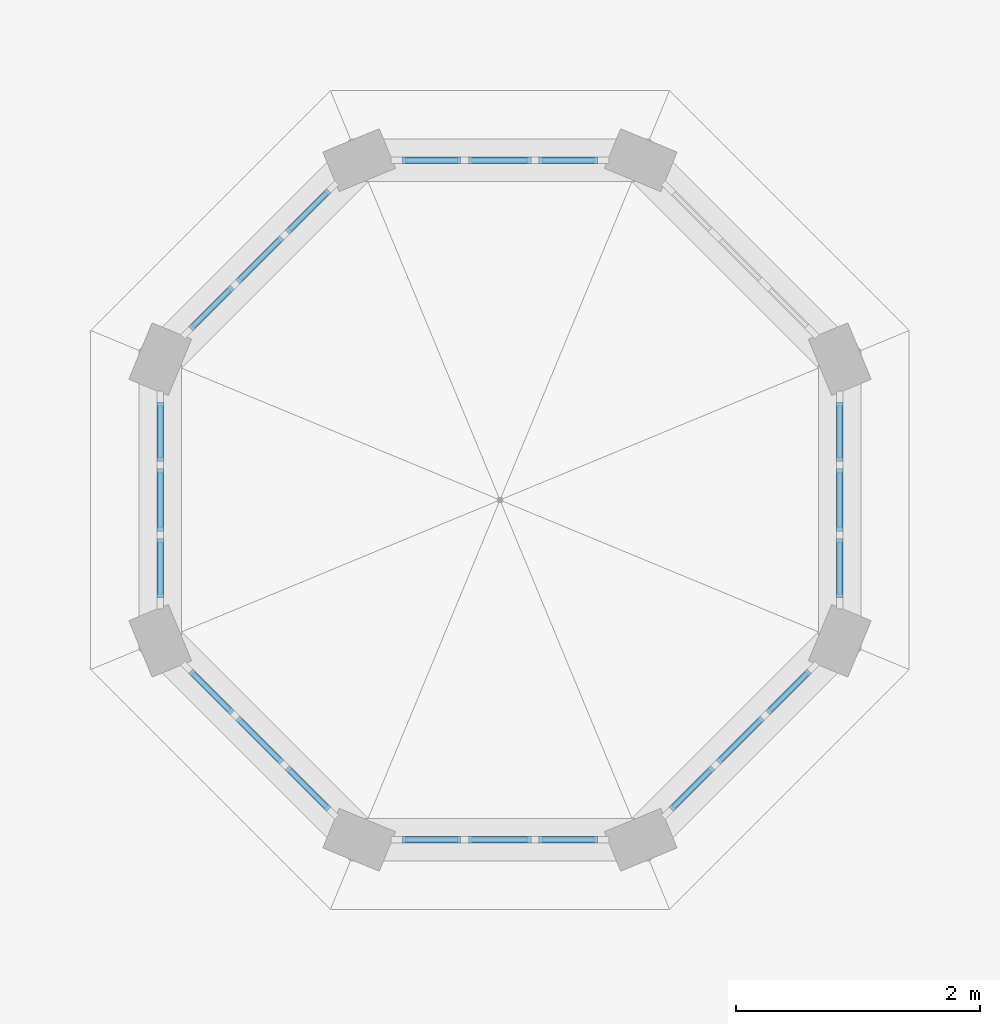
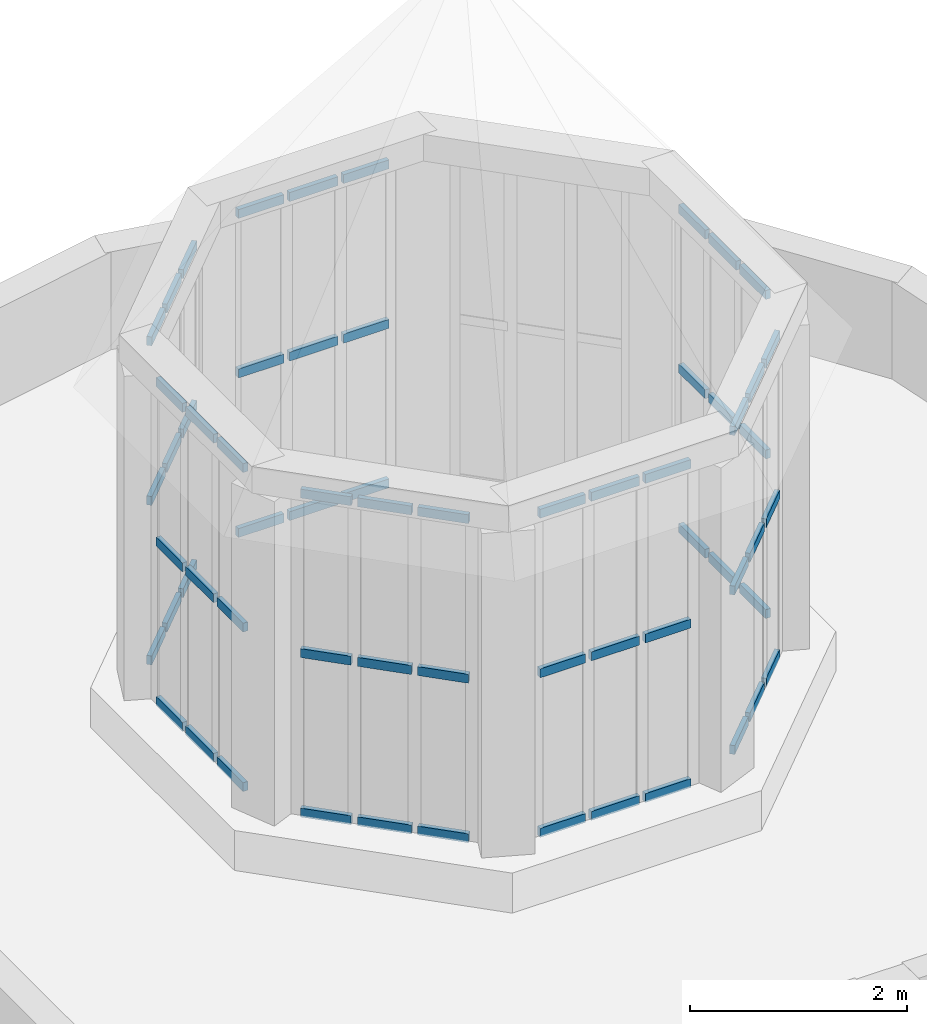
# One storey, part 23 of 52: 63 members, 7 elements without a shape of their own.
"""IFC4 building model written with IfcOpenShell, lengths in metres."""

from ifc_helpers import new_model, si_unit, direction, frame, origin, origin_2d, place, context, subcontext, project, spatial, rectangle, extrude, material, material_profile, profile_set, type_object, element, aggregate, save


model = new_model("IFC4")

# Units and contexts
model_context = context("Model", 3, precision=1e-05, world=origin(), true_north=direction((0.0, 1.0)))
body_context = subcontext(model_context, "Body", "Model", "MODEL_VIEW")
ifc_project = project(units=[si_unit("LENGTHUNIT", "METRE"), si_unit("AREAUNIT", "SQUARE_METRE"), si_unit("VOLUMEUNIT", "CUBIC_METRE"), si_unit("PLANEANGLEUNIT", "RADIAN"), si_unit("MASSUNIT", "GRAM", prefix="KILO")], contexts=[model_context])

# Site, building, storey
site_placement = place(None, origin())
site = spatial("IfcSite", under=ifc_project, at=site_placement, CompositionType="ELEMENT")
building_placement = place(site_placement, origin())
building = spatial("IfcBuilding", under=site, at=building_placement, Name="Vermilion Court Aquatics Centre", CompositionType="ELEMENT")
storey_placement = place(building_placement, frame((0.0, 0.0, 12.0)))
storey = spatial("IfcBuildingStorey", under=building, at=storey_placement, Name="L02", CompositionType="ELEMENT", Elevation=12.0)

# Curtain wall, members
ifc_material_1 = material(Name="Aluminium 6063-T5", Category="aluminium")
curtain_wall_type = type_object("IfcCurtainWallType", Name="Rotunda lantern curtain wall", PredefinedType="NOTDEFINED", material=ifc_material_1)
curtain_wall_1_placement = place(storey_placement, origin())
curtain_wall_1 = element("IfcCurtainWall", 1, at=curtain_wall_1_placement, inside=storey, type_object=curtain_wall_type, Name="Rotunda lantern curtain wall", PredefinedType="NOTDEFINED")
ifc_material_2 = material(Name="Aluminium 6063-T5", Category="aluminium")
ifc_material_profile = material_profile(ifc_material_2, rectangle(XDim=0.050048828125, YDim=0.10009765625, at=origin_2d()), Name="Aluminium 50x100")
ifc_profile_set = profile_set([ifc_material_profile], Name="Aluminium 6063-T5")
member_type = type_object("IfcMemberType", Name="Rotunda lantern transom 50x100", PredefinedType="USERDEFINED", material=ifc_profile_set)
member_1_placement = place(storey_placement, frame((7.75146484375, 74.781494140625, 0.47998046875), z_axis=(-1.0, 0.0, 0.0), x_axis=(0.0, -1.0, 0.0)))
member_1 = element("IfcMember", 2, at=member_1_placement, type_object=member_type, Name="HRT13 transom 1.1", ObjectType="TRANSOM", PredefinedType="USERDEFINED", context=body_context, shape_type="SweptSolid", body=[
    extrude(rectangle(XDim=0.050048828125, YDim=0.10009765625, at=origin_2d()), origin(), (0.0, 0.0, 1.0), 0.484375),
])
member_2_placement = place(storey_placement, frame((7.75146484375, 74.781494140625, 2.27490234375), z_axis=(-1.0, 0.0, 0.0), x_axis=(0.0, -1.0, 0.0)))
member_2 = element("IfcMember", 3, at=member_2_placement, type_object=member_type, Name="HRT13 transom 1.2", ObjectType="TRANSOM", PredefinedType="USERDEFINED", context=body_context, shape_type="SweptSolid", body=[
    extrude(rectangle(XDim=0.050048828125, YDim=0.10009765625, at=origin_2d()), origin(), (0.0, 0.0, 1.0), 0.484375),
])
member_3_placement = place(storey_placement, frame((7.75146484375, 74.781494140625, 4.070068359375), z_axis=(-1.0, 0.0, 0.0), x_axis=(0.0, -1.0, 0.0)))
member_3 = element("IfcMember", 4, at=member_3_placement, type_object=member_type, Name="HRT13 transom 1.3", ObjectType="TRANSOM", PredefinedType="USERDEFINED", context=body_context, shape_type="SweptSolid", body=[
    extrude(rectangle(XDim=0.050048828125, YDim=0.10009765625, at=origin_2d()), origin(), (0.0, 0.0, 1.0), 0.484375),
])
member_4_placement = place(storey_placement, frame((7.207275390625, 74.781494140625, 0.47998046875), z_axis=(-1.0, 0.0, 0.0), x_axis=(0.0, -1.0, 0.0)))
member_4 = element("IfcMember", 5, at=member_4_placement, type_object=member_type, Name="HRT13 transom 2.1", ObjectType="TRANSOM", PredefinedType="USERDEFINED", context=body_context, shape_type="SweptSolid", body=[
    extrude(rectangle(XDim=0.050048828125, YDim=0.10009765625, at=origin_2d()), origin(), (0.0, 0.0, 1.0), 0.514404296875),
])
member_5_placement = place(storey_placement, frame((7.207275390625, 74.781494140625, 2.27490234375), z_axis=(-1.0, 0.0, 0.0), x_axis=(0.0, -1.0, 0.0)))
member_5 = element("IfcMember", 6, at=member_5_placement, type_object=member_type, Name="HRT13 transom 2.2", ObjectType="TRANSOM", PredefinedType="USERDEFINED", context=body_context, shape_type="SweptSolid", body=[
    extrude(rectangle(XDim=0.050048828125, YDim=0.10009765625, at=origin_2d()), origin(), (0.0, 0.0, 1.0), 0.514404296875),
])
member_6_placement = place(storey_placement, frame((7.207275390625, 74.781494140625, 4.070068359375), z_axis=(-1.0, 0.0, 0.0), x_axis=(0.0, -1.0, 0.0)))
member_6 = element("IfcMember", 7, at=member_6_placement, type_object=member_type, Name="HRT13 transom 2.3", ObjectType="TRANSOM", PredefinedType="USERDEFINED", context=body_context, shape_type="SweptSolid", body=[
    extrude(rectangle(XDim=0.050048828125, YDim=0.10009765625, at=origin_2d()), origin(), (0.0, 0.0, 1.0), 0.514404296875),
])
member_7_placement = place(storey_placement, frame((6.6328125, 74.781494140625, 0.47998046875), z_axis=(-1.0, 0.0, 0.0), x_axis=(0.0, -1.0, 0.0)))
member_7 = element("IfcMember", 8, at=member_7_placement, type_object=member_type, Name="HRT13 transom 3.1", ObjectType="TRANSOM", PredefinedType="USERDEFINED", context=body_context, shape_type="SweptSolid", body=[
    extrude(rectangle(XDim=0.050048828125, YDim=0.10009765625, at=origin_2d()), origin(), (0.0, 0.0, 1.0), 0.484375),
])
member_8_placement = place(storey_placement, frame((6.6328125, 74.781494140625, 2.27490234375), z_axis=(-1.0, 0.0, 0.0), x_axis=(0.0, -1.0, 0.0)))
member_8 = element("IfcMember", 9, at=member_8_placement, type_object=member_type, Name="HRT13 transom 3.2", ObjectType="TRANSOM", PredefinedType="USERDEFINED", context=body_context, shape_type="SweptSolid", body=[
    extrude(rectangle(XDim=0.050048828125, YDim=0.10009765625, at=origin_2d()), origin(), (0.0, 0.0, 1.0), 0.484375),
])
member_9_placement = place(storey_placement, frame((6.6328125, 74.781494140625, 4.070068359375), z_axis=(-1.0, 0.0, 0.0), x_axis=(0.0, -1.0, 0.0)))
member_9 = element("IfcMember", 10, at=member_9_placement, type_object=member_type, Name="HRT13 transom 3.3", ObjectType="TRANSOM", PredefinedType="USERDEFINED", context=body_context, shape_type="SweptSolid", body=[
    extrude(rectangle(XDim=0.050048828125, YDim=0.10009765625, at=origin_2d()), origin(), (0.0, 0.0, 1.0), 0.484375),
])
aggregate(curtain_wall_1, [member_1, member_2, member_3, member_4, member_5, member_6, member_7, member_8, member_9])

curtain_wall_2_placement = place(storey_placement, origin())
curtain_wall_2 = element("IfcCurtainWall", 11, at=curtain_wall_2_placement, inside=storey, type_object=curtain_wall_type, Name="Rotunda lantern curtain wall", PredefinedType="NOTDEFINED")
member_10_placement = place(storey_placement, frame((5.550048828125, 74.533447265625, 0.47998046875), z_axis=(-0.707106781187, -0.707106781187, 0.0), x_axis=(0.707106781187, -0.707106781187, 0.0)))
member_10 = element("IfcMember", 12, at=member_10_placement, type_object=member_type, Name="HRT13 transom 1.1", ObjectType="TRANSOM", PredefinedType="USERDEFINED", context=body_context, shape_type="SweptSolid", body=[
    extrude(rectangle(XDim=0.050048828125, YDim=0.10009765625, at=origin_2d()), origin(), (0.0, 0.0, 1.0), 0.484375),
])
member_11_placement = place(storey_placement, frame((5.550048828125, 74.533447265625, 2.27490234375), z_axis=(-0.707106781187, -0.707106781187, 0.0), x_axis=(0.707106781187, -0.707106781187, 0.0)))
member_11 = element("IfcMember", 13, at=member_11_placement, type_object=member_type, Name="HRT13 transom 1.2", ObjectType="TRANSOM", PredefinedType="USERDEFINED", context=body_context, shape_type="SweptSolid", body=[
    extrude(rectangle(XDim=0.050048828125, YDim=0.10009765625, at=origin_2d()), origin(), (0.0, 0.0, 1.0), 0.484375),
])
member_12_placement = place(storey_placement, frame((5.550048828125, 74.533447265625, 4.070068359375), z_axis=(-0.707106781187, -0.707106781187, 0.0), x_axis=(0.707106781187, -0.707106781187, 0.0)))
member_12 = element("IfcMember", 14, at=member_12_placement, type_object=member_type, Name="HRT13 transom 1.3", ObjectType="TRANSOM", PredefinedType="USERDEFINED", context=body_context, shape_type="SweptSolid", body=[
    extrude(rectangle(XDim=0.050048828125, YDim=0.10009765625, at=origin_2d()), origin(), (0.0, 0.0, 1.0), 0.484375),
])
member_13_placement = place(storey_placement, frame((5.1650390625, 74.148681640625, 0.47998046875), z_axis=(-0.706869377553, -0.707344105141, 0.0), x_axis=(0.707344105141, -0.706869377553, 0.0)))
member_13 = element("IfcMember", 15, at=member_13_placement, type_object=member_type, Name="HRT13 transom 2.1", ObjectType="TRANSOM", PredefinedType="USERDEFINED", context=body_context, shape_type="SweptSolid", body=[
    extrude(rectangle(XDim=0.050048828125, YDim=0.10009765625, at=origin_2d()), origin(), (0.0, 0.0, 1.0), 0.51416015625),
])
member_14_placement = place(storey_placement, frame((5.1650390625, 74.148681640625, 2.27490234375), z_axis=(-0.706869377553, -0.707344105141, 0.0), x_axis=(0.707344105141, -0.706869377553, 0.0)))
member_14 = element("IfcMember", 16, at=member_14_placement, type_object=member_type, Name="HRT13 transom 2.2", ObjectType="TRANSOM", PredefinedType="USERDEFINED", context=body_context, shape_type="SweptSolid", body=[
    extrude(rectangle(XDim=0.050048828125, YDim=0.10009765625, at=origin_2d()), origin(), (0.0, 0.0, 1.0), 0.51416015625),
])
member_15_placement = place(storey_placement, frame((5.1650390625, 74.148681640625, 4.070068359375), z_axis=(-0.706869377553, -0.707344105141, 0.0), x_axis=(0.707344105141, -0.706869377553, 0.0)))
member_15 = element("IfcMember", 17, at=member_15_placement, type_object=member_type, Name="HRT13 transom 2.3", ObjectType="TRANSOM", PredefinedType="USERDEFINED", context=body_context, shape_type="SweptSolid", body=[
    extrude(rectangle(XDim=0.050048828125, YDim=0.10009765625, at=origin_2d()), origin(), (0.0, 0.0, 1.0), 0.51416015625),
])
member_16_placement = place(storey_placement, frame((4.759033203125, 73.742431640625, 0.47998046875), z_axis=(-0.707358824214, -0.706854648288, 0.0), x_axis=(0.706854648288, -0.707358824214, 0.0)))
member_16 = element("IfcMember", 18, at=member_16_placement, type_object=member_type, Name="HRT13 transom 3.1", ObjectType="TRANSOM", PredefinedType="USERDEFINED", context=body_context, shape_type="SweptSolid", body=[
    extrude(rectangle(XDim=0.050048828125, YDim=0.10009765625, at=origin_2d()), origin(), (0.0, 0.0, 1.0), 0.484130859375),
])
member_17_placement = place(storey_placement, frame((4.759033203125, 73.742431640625, 2.27490234375), z_axis=(-0.707358824214, -0.706854648288, 0.0), x_axis=(0.706854648288, -0.707358824214, 0.0)))
member_17 = element("IfcMember", 19, at=member_17_placement, type_object=member_type, Name="HRT13 transom 3.2", ObjectType="TRANSOM", PredefinedType="USERDEFINED", context=body_context, shape_type="SweptSolid", body=[
    extrude(rectangle(XDim=0.050048828125, YDim=0.10009765625, at=origin_2d()), origin(), (0.0, 0.0, 1.0), 0.484130859375),
])
member_18_placement = place(storey_placement, frame((4.759033203125, 73.742431640625, 4.070068359375), z_axis=(-0.707358824214, -0.706854648288, 0.0), x_axis=(0.706854648288, -0.707358824214, 0.0)))
member_18 = element("IfcMember", 20, at=member_18_placement, type_object=member_type, Name="HRT13 transom 3.3", ObjectType="TRANSOM", PredefinedType="USERDEFINED", context=body_context, shape_type="SweptSolid", body=[
    extrude(rectangle(XDim=0.050048828125, YDim=0.10009765625, at=origin_2d()), origin(), (0.0, 0.0, 1.0), 0.484130859375),
])
aggregate(curtain_wall_2, [member_10, member_11, member_12, member_13, member_14, member_15, member_16, member_17, member_18])

curtain_wall_3_placement = place(storey_placement, origin())
curtain_wall_3 = element("IfcCurtainWall", 21, at=curtain_wall_3_placement, inside=storey, type_object=curtain_wall_type, Name="Rotunda lantern curtain wall", PredefinedType="NOTDEFINED")
member_19_placement = place(storey_placement, frame((4.168701171875, 72.801513671875, 0.47998046875), z_axis=(0.0, -1.0, 0.0), x_axis=(1.0, 0.0, 0.0)))
member_19 = element("IfcMember", 22, at=member_19_placement, type_object=member_type, Name="HRT13 transom 1.1", ObjectType="TRANSOM", PredefinedType="USERDEFINED", context=body_context, shape_type="SweptSolid", body=[
    extrude(rectangle(XDim=0.050048828125, YDim=0.10009765625, at=origin_2d()), origin(), (0.0, 0.0, 1.0), 0.484375),
])
member_20_placement = place(storey_placement, frame((4.168701171875, 72.801513671875, 2.27490234375), z_axis=(0.0, -1.0, 0.0), x_axis=(1.0, 0.0, 0.0)))
member_20 = element("IfcMember", 23, at=member_20_placement, type_object=member_type, Name="HRT13 transom 1.2", ObjectType="TRANSOM", PredefinedType="USERDEFINED", context=body_context, shape_type="SweptSolid", body=[
    extrude(rectangle(XDim=0.050048828125, YDim=0.10009765625, at=origin_2d()), origin(), (0.0, 0.0, 1.0), 0.484375),
])
member_21_placement = place(storey_placement, frame((4.168701171875, 72.801513671875, 4.070068359375), z_axis=(0.0, -1.0, 0.0), x_axis=(1.0, 0.0, 0.0)))
member_21 = element("IfcMember", 24, at=member_21_placement, type_object=member_type, Name="HRT13 transom 1.3", ObjectType="TRANSOM", PredefinedType="USERDEFINED", context=body_context, shape_type="SweptSolid", body=[
    extrude(rectangle(XDim=0.050048828125, YDim=0.10009765625, at=origin_2d()), origin(), (0.0, 0.0, 1.0), 0.484375),
])
member_22_placement = place(storey_placement, frame((4.168701171875, 72.257080078125, 0.47998046875), z_axis=(0.0, -1.0, 0.0), x_axis=(1.0, 0.0, 0.0)))
member_22 = element("IfcMember", 25, at=member_22_placement, type_object=member_type, Name="HRT13 transom 2.1", ObjectType="TRANSOM", PredefinedType="USERDEFINED", context=body_context, shape_type="SweptSolid", body=[
    extrude(rectangle(XDim=0.050048828125, YDim=0.10009765625, at=origin_2d()), origin(), (0.0, 0.0, 1.0), 0.51416015625),
])
member_23_placement = place(storey_placement, frame((4.168701171875, 72.257080078125, 2.27490234375), z_axis=(0.0, -1.0, 0.0), x_axis=(1.0, 0.0, 0.0)))
member_23 = element("IfcMember", 26, at=member_23_placement, type_object=member_type, Name="HRT13 transom 2.2", ObjectType="TRANSOM", PredefinedType="USERDEFINED", context=body_context, shape_type="SweptSolid", body=[
    extrude(rectangle(XDim=0.050048828125, YDim=0.10009765625, at=origin_2d()), origin(), (0.0, 0.0, 1.0), 0.51416015625),
])
member_24_placement = place(storey_placement, frame((4.168701171875, 72.257080078125, 4.070068359375), z_axis=(0.0, -1.0, 0.0), x_axis=(1.0, 0.0, 0.0)))
member_24 = element("IfcMember", 27, at=member_24_placement, type_object=member_type, Name="HRT13 transom 2.3", ObjectType="TRANSOM", PredefinedType="USERDEFINED", context=body_context, shape_type="SweptSolid", body=[
    extrude(rectangle(XDim=0.050048828125, YDim=0.10009765625, at=origin_2d()), origin(), (0.0, 0.0, 1.0), 0.51416015625),
])
member_25_placement = place(storey_placement, frame((4.168701171875, 71.682861328125, 0.47998046875), z_axis=(0.0, -1.0, 0.0), x_axis=(1.0, 0.0, 0.0)))
member_25 = element("IfcMember", 28, at=member_25_placement, type_object=member_type, Name="HRT13 transom 3.1", ObjectType="TRANSOM", PredefinedType="USERDEFINED", context=body_context, shape_type="SweptSolid", body=[
    extrude(rectangle(XDim=0.050048828125, YDim=0.10009765625, at=origin_2d()), origin(), (0.0, 0.0, 1.0), 0.484375),
])
member_26_placement = place(storey_placement, frame((4.168701171875, 71.682861328125, 2.27490234375), z_axis=(0.0, -1.0, 0.0), x_axis=(1.0, 0.0, 0.0)))
member_26 = element("IfcMember", 29, at=member_26_placement, type_object=member_type, Name="HRT13 transom 3.2", ObjectType="TRANSOM", PredefinedType="USERDEFINED", context=body_context, shape_type="SweptSolid", body=[
    extrude(rectangle(XDim=0.050048828125, YDim=0.10009765625, at=origin_2d()), origin(), (0.0, 0.0, 1.0), 0.484375),
])
member_27_placement = place(storey_placement, frame((4.168701171875, 71.682861328125, 4.070068359375), z_axis=(0.0, -1.0, 0.0), x_axis=(1.0, 0.0, 0.0)))
member_27 = element("IfcMember", 30, at=member_27_placement, type_object=member_type, Name="HRT13 transom 3.3", ObjectType="TRANSOM", PredefinedType="USERDEFINED", context=body_context, shape_type="SweptSolid", body=[
    extrude(rectangle(XDim=0.050048828125, YDim=0.10009765625, at=origin_2d()), origin(), (0.0, 0.0, 1.0), 0.484375),
])
aggregate(curtain_wall_3, [member_19, member_20, member_21, member_22, member_23, member_24, member_25, member_26, member_27])

curtain_wall_4_placement = place(storey_placement, origin())
curtain_wall_4 = element("IfcCurtainWall", 31, at=curtain_wall_4_placement, inside=storey, type_object=curtain_wall_type, Name="Rotunda lantern curtain wall", PredefinedType="NOTDEFINED")
member_28_placement = place(storey_placement, frame((4.41650390625, 70.599853515625, 0.47998046875), z_axis=(0.707358824214, -0.706854648288, 0.0), x_axis=(0.706854648288, 0.707358824214, 0.0)))
member_28 = element("IfcMember", 32, at=member_28_placement, type_object=member_type, Name="HRT13 transom 1.1", ObjectType="TRANSOM", PredefinedType="USERDEFINED", context=body_context, shape_type="SweptSolid", body=[
    extrude(rectangle(XDim=0.050048828125, YDim=0.10009765625, at=origin_2d()), origin(), (0.0, 0.0, 1.0), 0.484130859375),
])
member_29_placement = place(storey_placement, frame((4.41650390625, 70.599853515625, 2.27490234375), z_axis=(0.707358824214, -0.706854648288, 0.0), x_axis=(0.706854648288, 0.707358824214, 0.0)))
member_29 = element("IfcMember", 33, at=member_29_placement, type_object=member_type, Name="HRT13 transom 1.2", ObjectType="TRANSOM", PredefinedType="USERDEFINED", context=body_context, shape_type="SweptSolid", body=[
    extrude(rectangle(XDim=0.050048828125, YDim=0.10009765625, at=origin_2d()), origin(), (0.0, 0.0, 1.0), 0.484130859375),
])
member_30_placement = place(storey_placement, frame((4.41650390625, 70.599853515625, 4.070068359375), z_axis=(0.707358824214, -0.706854648288, 0.0), x_axis=(0.706854648288, 0.707358824214, 0.0)))
member_30 = element("IfcMember", 34, at=member_30_placement, type_object=member_type, Name="HRT13 transom 1.3", ObjectType="TRANSOM", PredefinedType="USERDEFINED", context=body_context, shape_type="SweptSolid", body=[
    extrude(rectangle(XDim=0.050048828125, YDim=0.10009765625, at=origin_2d()), origin(), (0.0, 0.0, 1.0), 0.484130859375),
])
member_31_placement = place(storey_placement, frame((4.801513671875, 70.215087890625, 0.47998046875), z_axis=(0.706869377553, -0.707344105141, 0.0), x_axis=(0.707344105141, 0.706869377553, 0.0)))
member_31 = element("IfcMember", 35, at=member_31_placement, type_object=member_type, Name="HRT13 transom 2.1", ObjectType="TRANSOM", PredefinedType="USERDEFINED", context=body_context, shape_type="SweptSolid", body=[
    extrude(rectangle(XDim=0.050048828125, YDim=0.10009765625, at=origin_2d()), origin(), (0.0, 0.0, 1.0), 0.51416015625),
])
member_32_placement = place(storey_placement, frame((4.801513671875, 70.215087890625, 2.27490234375), z_axis=(0.706869377553, -0.707344105141, 0.0), x_axis=(0.707344105141, 0.706869377553, 0.0)))
member_32 = element("IfcMember", 36, at=member_32_placement, type_object=member_type, Name="HRT13 transom 2.2", ObjectType="TRANSOM", PredefinedType="USERDEFINED", context=body_context, shape_type="SweptSolid", body=[
    extrude(rectangle(XDim=0.050048828125, YDim=0.10009765625, at=origin_2d()), origin(), (0.0, 0.0, 1.0), 0.51416015625),
])
member_33_placement = place(storey_placement, frame((4.801513671875, 70.215087890625, 4.070068359375), z_axis=(0.706869377553, -0.707344105141, 0.0), x_axis=(0.707344105141, 0.706869377553, 0.0)))
member_33 = element("IfcMember", 37, at=member_33_placement, type_object=member_type, Name="HRT13 transom 2.3", ObjectType="TRANSOM", PredefinedType="USERDEFINED", context=body_context, shape_type="SweptSolid", body=[
    extrude(rectangle(XDim=0.050048828125, YDim=0.10009765625, at=origin_2d()), origin(), (0.0, 0.0, 1.0), 0.51416015625),
])
member_34_placement = place(storey_placement, frame((5.20751953125, 69.80908203125, 0.47998046875), z_axis=(0.707106781187, -0.707106781187, 0.0), x_axis=(0.707106781187, 0.707106781187, 0.0)))
member_34 = element("IfcMember", 38, at=member_34_placement, type_object=member_type, Name="HRT13 transom 3.1", ObjectType="TRANSOM", PredefinedType="USERDEFINED", context=body_context, shape_type="SweptSolid", body=[
    extrude(rectangle(XDim=0.050048828125, YDim=0.10009765625, at=origin_2d()), origin(), (0.0, 0.0, 1.0), 0.484375),
])
member_35_placement = place(storey_placement, frame((5.20751953125, 69.80908203125, 2.27490234375), z_axis=(0.707106781187, -0.707106781187, 0.0), x_axis=(0.707106781187, 0.707106781187, 0.0)))
member_35 = element("IfcMember", 39, at=member_35_placement, type_object=member_type, Name="HRT13 transom 3.2", ObjectType="TRANSOM", PredefinedType="USERDEFINED", context=body_context, shape_type="SweptSolid", body=[
    extrude(rectangle(XDim=0.050048828125, YDim=0.10009765625, at=origin_2d()), origin(), (0.0, 0.0, 1.0), 0.484375),
])
member_36_placement = place(storey_placement, frame((5.20751953125, 69.80908203125, 4.070068359375), z_axis=(0.707106781187, -0.707106781187, 0.0), x_axis=(0.707106781187, 0.707106781187, 0.0)))
member_36 = element("IfcMember", 40, at=member_36_placement, type_object=member_type, Name="HRT13 transom 3.3", ObjectType="TRANSOM", PredefinedType="USERDEFINED", context=body_context, shape_type="SweptSolid", body=[
    extrude(rectangle(XDim=0.050048828125, YDim=0.10009765625, at=origin_2d()), origin(), (0.0, 0.0, 1.0), 0.484375),
])
aggregate(curtain_wall_4, [member_28, member_29, member_30, member_31, member_32, member_33, member_34, member_35, member_36])

curtain_wall_5_placement = place(storey_placement, origin())
curtain_wall_5 = element("IfcCurtainWall", 41, at=curtain_wall_5_placement, inside=storey, type_object=curtain_wall_type, Name="Rotunda lantern curtain wall", PredefinedType="NOTDEFINED")
member_37_placement = place(storey_placement, frame((6.1484375, 69.218505859375, 0.47998046875), z_axis=(1.0, 0.0, 0.0), x_axis=(0.0, 1.0, 0.0)))
member_37 = element("IfcMember", 42, at=member_37_placement, type_object=member_type, Name="HRT13 transom 1.1", ObjectType="TRANSOM", PredefinedType="USERDEFINED", context=body_context, shape_type="SweptSolid", body=[
    extrude(rectangle(XDim=0.050048828125, YDim=0.10009765625, at=origin_2d()), origin(), (0.0, 0.0, 1.0), 0.484375),
])
member_38_placement = place(storey_placement, frame((6.1484375, 69.218505859375, 2.27490234375), z_axis=(1.0, 0.0, 0.0), x_axis=(0.0, 1.0, 0.0)))
member_38 = element("IfcMember", 43, at=member_38_placement, type_object=member_type, Name="HRT13 transom 1.2", ObjectType="TRANSOM", PredefinedType="USERDEFINED", context=body_context, shape_type="SweptSolid", body=[
    extrude(rectangle(XDim=0.050048828125, YDim=0.10009765625, at=origin_2d()), origin(), (0.0, 0.0, 1.0), 0.484375),
])
member_39_placement = place(storey_placement, frame((6.1484375, 69.218505859375, 4.070068359375), z_axis=(1.0, 0.0, 0.0), x_axis=(0.0, 1.0, 0.0)))
member_39 = element("IfcMember", 44, at=member_39_placement, type_object=member_type, Name="HRT13 transom 1.3", ObjectType="TRANSOM", PredefinedType="USERDEFINED", context=body_context, shape_type="SweptSolid", body=[
    extrude(rectangle(XDim=0.050048828125, YDim=0.10009765625, at=origin_2d()), origin(), (0.0, 0.0, 1.0), 0.484375),
])
member_40_placement = place(storey_placement, frame((6.69287109375, 69.218505859375, 0.47998046875), z_axis=(1.0, 0.0, 0.0), x_axis=(0.0, 1.0, 0.0)))
member_40 = element("IfcMember", 45, at=member_40_placement, type_object=member_type, Name="HRT13 transom 2.1", ObjectType="TRANSOM", PredefinedType="USERDEFINED", context=body_context, shape_type="SweptSolid", body=[
    extrude(rectangle(XDim=0.050048828125, YDim=0.10009765625, at=origin_2d()), origin(), (0.0, 0.0, 1.0), 0.514404296875),
])
member_41_placement = place(storey_placement, frame((6.69287109375, 69.218505859375, 2.27490234375), z_axis=(1.0, 0.0, 0.0), x_axis=(0.0, 1.0, 0.0)))
member_41 = element("IfcMember", 46, at=member_41_placement, type_object=member_type, Name="HRT13 transom 2.2", ObjectType="TRANSOM", PredefinedType="USERDEFINED", context=body_context, shape_type="SweptSolid", body=[
    extrude(rectangle(XDim=0.050048828125, YDim=0.10009765625, at=origin_2d()), origin(), (0.0, 0.0, 1.0), 0.514404296875),
])
member_42_placement = place(storey_placement, frame((6.69287109375, 69.218505859375, 4.070068359375), z_axis=(1.0, 0.0, 0.0), x_axis=(0.0, 1.0, 0.0)))
member_42 = element("IfcMember", 47, at=member_42_placement, type_object=member_type, Name="HRT13 transom 2.3", ObjectType="TRANSOM", PredefinedType="USERDEFINED", context=body_context, shape_type="SweptSolid", body=[
    extrude(rectangle(XDim=0.050048828125, YDim=0.10009765625, at=origin_2d()), origin(), (0.0, 0.0, 1.0), 0.514404296875),
])
member_43_placement = place(storey_placement, frame((7.26708984375, 69.218505859375, 0.47998046875), z_axis=(1.0, 0.0, 0.0), x_axis=(0.0, 1.0, 0.0)))
member_43 = element("IfcMember", 48, at=member_43_placement, type_object=member_type, Name="HRT13 transom 3.1", ObjectType="TRANSOM", PredefinedType="USERDEFINED", context=body_context, shape_type="SweptSolid", body=[
    extrude(rectangle(XDim=0.050048828125, YDim=0.10009765625, at=origin_2d()), origin(), (0.0, 0.0, 1.0), 0.484375),
])
member_44_placement = place(storey_placement, frame((7.26708984375, 69.218505859375, 2.27490234375), z_axis=(1.0, 0.0, 0.0), x_axis=(0.0, 1.0, 0.0)))
member_44 = element("IfcMember", 49, at=member_44_placement, type_object=member_type, Name="HRT13 transom 3.2", ObjectType="TRANSOM", PredefinedType="USERDEFINED", context=body_context, shape_type="SweptSolid", body=[
    extrude(rectangle(XDim=0.050048828125, YDim=0.10009765625, at=origin_2d()), origin(), (0.0, 0.0, 1.0), 0.484375),
])
member_45_placement = place(storey_placement, frame((7.26708984375, 69.218505859375, 4.070068359375), z_axis=(1.0, 0.0, 0.0), x_axis=(0.0, 1.0, 0.0)))
member_45 = element("IfcMember", 50, at=member_45_placement, type_object=member_type, Name="HRT13 transom 3.3", ObjectType="TRANSOM", PredefinedType="USERDEFINED", context=body_context, shape_type="SweptSolid", body=[
    extrude(rectangle(XDim=0.050048828125, YDim=0.10009765625, at=origin_2d()), origin(), (0.0, 0.0, 1.0), 0.484375),
])
aggregate(curtain_wall_5, [member_37, member_38, member_39, member_40, member_41, member_42, member_43, member_44, member_45])

curtain_wall_6_placement = place(storey_placement, origin())
curtain_wall_6 = element("IfcCurtainWall", 51, at=curtain_wall_6_placement, inside=storey, type_object=curtain_wall_type, Name="Rotunda lantern curtain wall", PredefinedType="NOTDEFINED")
member_46_placement = place(storey_placement, frame((8.35009765625, 69.466552734375, 0.47998046875), z_axis=(0.706854648288, 0.707358824214, 0.0), x_axis=(-0.707358824214, 0.706854648288, 0.0)))
member_46 = element("IfcMember", 52, at=member_46_placement, type_object=member_type, Name="HRT13 transom 1.1", ObjectType="TRANSOM", PredefinedType="USERDEFINED", context=body_context, shape_type="SweptSolid", body=[
    extrude(rectangle(XDim=0.050048828125, YDim=0.10009765625, at=origin_2d()), origin(), (0.0, 0.0, 1.0), 0.484130859375),
])
member_47_placement = place(storey_placement, frame((8.35009765625, 69.466552734375, 2.27490234375), z_axis=(0.706854648288, 0.707358824214, 0.0), x_axis=(-0.707358824214, 0.706854648288, 0.0)))
member_47 = element("IfcMember", 53, at=member_47_placement, type_object=member_type, Name="HRT13 transom 1.2", ObjectType="TRANSOM", PredefinedType="USERDEFINED", context=body_context, shape_type="SweptSolid", body=[
    extrude(rectangle(XDim=0.050048828125, YDim=0.10009765625, at=origin_2d()), origin(), (0.0, 0.0, 1.0), 0.484130859375),
])
member_48_placement = place(storey_placement, frame((8.35009765625, 69.466552734375, 4.070068359375), z_axis=(0.706854648288, 0.707358824214, 0.0), x_axis=(-0.707358824214, 0.706854648288, 0.0)))
member_48 = element("IfcMember", 54, at=member_48_placement, type_object=member_type, Name="HRT13 transom 1.3", ObjectType="TRANSOM", PredefinedType="USERDEFINED", context=body_context, shape_type="SweptSolid", body=[
    extrude(rectangle(XDim=0.050048828125, YDim=0.10009765625, at=origin_2d()), origin(), (0.0, 0.0, 1.0), 0.484130859375),
])
member_49_placement = place(storey_placement, frame((8.73486328125, 69.851318359375, 0.47998046875), z_axis=(0.707106781187, 0.707106781187, 0.0), x_axis=(-0.707106781187, 0.707106781187, 0.0)))
member_49 = element("IfcMember", 55, at=member_49_placement, type_object=member_type, Name="HRT13 transom 2.1", ObjectType="TRANSOM", PredefinedType="USERDEFINED", context=body_context, shape_type="SweptSolid", body=[
    extrude(rectangle(XDim=0.050048828125, YDim=0.10009765625, at=origin_2d()), origin(), (0.0, 0.0, 1.0), 0.514404296875),
])
member_50_placement = place(storey_placement, frame((8.73486328125, 69.851318359375, 2.27490234375), z_axis=(0.707106781187, 0.707106781187, 0.0), x_axis=(-0.707106781187, 0.707106781187, 0.0)))
member_50 = element("IfcMember", 56, at=member_50_placement, type_object=member_type, Name="HRT13 transom 2.2", ObjectType="TRANSOM", PredefinedType="USERDEFINED", context=body_context, shape_type="SweptSolid", body=[
    extrude(rectangle(XDim=0.050048828125, YDim=0.10009765625, at=origin_2d()), origin(), (0.0, 0.0, 1.0), 0.514404296875),
])
member_51_placement = place(storey_placement, frame((8.73486328125, 69.851318359375, 4.070068359375), z_axis=(0.707106781187, 0.707106781187, 0.0), x_axis=(-0.707106781187, 0.707106781187, 0.0)))
member_51 = element("IfcMember", 57, at=member_51_placement, type_object=member_type, Name="HRT13 transom 2.3", ObjectType="TRANSOM", PredefinedType="USERDEFINED", context=body_context, shape_type="SweptSolid", body=[
    extrude(rectangle(XDim=0.050048828125, YDim=0.10009765625, at=origin_2d()), origin(), (0.0, 0.0, 1.0), 0.514404296875),
])
member_52_placement = place(storey_placement, frame((9.14111328125, 70.257568359375, 0.47998046875), z_axis=(0.707106781187, 0.707106781187, 0.0), x_axis=(-0.707106781187, 0.707106781187, 0.0)))
member_52 = element("IfcMember", 58, at=member_52_placement, type_object=member_type, Name="HRT13 transom 3.1", ObjectType="TRANSOM", PredefinedType="USERDEFINED", context=body_context, shape_type="SweptSolid", body=[
    extrude(rectangle(XDim=0.050048828125, YDim=0.10009765625, at=origin_2d()), origin(), (0.0, 0.0, 1.0), 0.484130859375),
])
member_53_placement = place(storey_placement, frame((9.14111328125, 70.257568359375, 2.27490234375), z_axis=(0.707106781187, 0.707106781187, 0.0), x_axis=(-0.707106781187, 0.707106781187, 0.0)))
member_53 = element("IfcMember", 59, at=member_53_placement, type_object=member_type, Name="HRT13 transom 3.2", ObjectType="TRANSOM", PredefinedType="USERDEFINED", context=body_context, shape_type="SweptSolid", body=[
    extrude(rectangle(XDim=0.050048828125, YDim=0.10009765625, at=origin_2d()), origin(), (0.0, 0.0, 1.0), 0.484130859375),
])
member_54_placement = place(storey_placement, frame((9.14111328125, 70.257568359375, 4.070068359375), z_axis=(0.707106781187, 0.707106781187, 0.0), x_axis=(-0.707106781187, 0.707106781187, 0.0)))
member_54 = element("IfcMember", 60, at=member_54_placement, type_object=member_type, Name="HRT13 transom 3.3", ObjectType="TRANSOM", PredefinedType="USERDEFINED", context=body_context, shape_type="SweptSolid", body=[
    extrude(rectangle(XDim=0.050048828125, YDim=0.10009765625, at=origin_2d()), origin(), (0.0, 0.0, 1.0), 0.484130859375),
])
aggregate(curtain_wall_6, [member_46, member_47, member_48, member_49, member_50, member_51, member_52, member_53, member_54])

curtain_wall_7_placement = place(storey_placement, origin())
curtain_wall_7 = element("IfcCurtainWall", 61, at=curtain_wall_7_placement, inside=storey, type_object=curtain_wall_type, Name="Rotunda lantern curtain wall", PredefinedType="NOTDEFINED")
member_55_placement = place(storey_placement, frame((9.7314453125, 71.198486328125, 0.47998046875), z_axis=(0.0, 1.0, 0.0), x_axis=(-1.0, 0.0, 0.0)))
member_55 = element("IfcMember", 62, at=member_55_placement, type_object=member_type, Name="HRT13 transom 1.1", ObjectType="TRANSOM", PredefinedType="USERDEFINED", context=body_context, shape_type="SweptSolid", body=[
    extrude(rectangle(XDim=0.050048828125, YDim=0.10009765625, at=origin_2d()), origin(), (0.0, 0.0, 1.0), 0.484375),
])
member_56_placement = place(storey_placement, frame((9.7314453125, 71.198486328125, 2.27490234375), z_axis=(0.0, 1.0, 0.0), x_axis=(-1.0, 0.0, 0.0)))
member_56 = element("IfcMember", 63, at=member_56_placement, type_object=member_type, Name="HRT13 transom 1.2", ObjectType="TRANSOM", PredefinedType="USERDEFINED", context=body_context, shape_type="SweptSolid", body=[
    extrude(rectangle(XDim=0.050048828125, YDim=0.10009765625, at=origin_2d()), origin(), (0.0, 0.0, 1.0), 0.484375),
])
member_57_placement = place(storey_placement, frame((9.7314453125, 71.198486328125, 4.070068359375), z_axis=(0.0, 1.0, 0.0), x_axis=(-1.0, 0.0, 0.0)))
member_57 = element("IfcMember", 64, at=member_57_placement, type_object=member_type, Name="HRT13 transom 1.3", ObjectType="TRANSOM", PredefinedType="USERDEFINED", context=body_context, shape_type="SweptSolid", body=[
    extrude(rectangle(XDim=0.050048828125, YDim=0.10009765625, at=origin_2d()), origin(), (0.0, 0.0, 1.0), 0.484375),
])
member_58_placement = place(storey_placement, frame((9.7314453125, 71.742919921875, 0.47998046875), z_axis=(0.0, 1.0, 0.0), x_axis=(-1.0, 0.0, 0.0)))
member_58 = element("IfcMember", 65, at=member_58_placement, type_object=member_type, Name="HRT13 transom 2.1", ObjectType="TRANSOM", PredefinedType="USERDEFINED", context=body_context, shape_type="SweptSolid", body=[
    extrude(rectangle(XDim=0.050048828125, YDim=0.10009765625, at=origin_2d()), origin(), (0.0, 0.0, 1.0), 0.51416015625),
])
member_59_placement = place(storey_placement, frame((9.7314453125, 71.742919921875, 2.27490234375), z_axis=(0.0, 1.0, 0.0), x_axis=(-1.0, 0.0, 0.0)))
member_59 = element("IfcMember", 66, at=member_59_placement, type_object=member_type, Name="HRT13 transom 2.2", ObjectType="TRANSOM", PredefinedType="USERDEFINED", context=body_context, shape_type="SweptSolid", body=[
    extrude(rectangle(XDim=0.050048828125, YDim=0.10009765625, at=origin_2d()), origin(), (0.0, 0.0, 1.0), 0.51416015625),
])
member_60_placement = place(storey_placement, frame((9.7314453125, 71.742919921875, 4.070068359375), z_axis=(0.0, 1.0, 0.0), x_axis=(-1.0, 0.0, 0.0)))
member_60 = element("IfcMember", 67, at=member_60_placement, type_object=member_type, Name="HRT13 transom 2.3", ObjectType="TRANSOM", PredefinedType="USERDEFINED", context=body_context, shape_type="SweptSolid", body=[
    extrude(rectangle(XDim=0.050048828125, YDim=0.10009765625, at=origin_2d()), origin(), (0.0, 0.0, 1.0), 0.51416015625),
])
member_61_placement = place(storey_placement, frame((9.7314453125, 72.317138671875, 0.47998046875), z_axis=(0.0, 1.0, 0.0), x_axis=(-1.0, 0.0, 0.0)))
member_61 = element("IfcMember", 68, at=member_61_placement, type_object=member_type, Name="HRT13 transom 3.1", ObjectType="TRANSOM", PredefinedType="USERDEFINED", context=body_context, shape_type="SweptSolid", body=[
    extrude(rectangle(XDim=0.050048828125, YDim=0.10009765625, at=origin_2d()), origin(), (0.0, 0.0, 1.0), 0.484375),
])
member_62_placement = place(storey_placement, frame((9.7314453125, 72.317138671875, 2.27490234375), z_axis=(0.0, 1.0, 0.0), x_axis=(-1.0, 0.0, 0.0)))
member_62 = element("IfcMember", 69, at=member_62_placement, type_object=member_type, Name="HRT13 transom 3.2", ObjectType="TRANSOM", PredefinedType="USERDEFINED", context=body_context, shape_type="SweptSolid", body=[
    extrude(rectangle(XDim=0.050048828125, YDim=0.10009765625, at=origin_2d()), origin(), (0.0, 0.0, 1.0), 0.484375),
])
member_63_placement = place(storey_placement, frame((9.7314453125, 72.317138671875, 4.070068359375), z_axis=(0.0, 1.0, 0.0), x_axis=(-1.0, 0.0, 0.0)))
member_63 = element("IfcMember", 70, at=member_63_placement, type_object=member_type, Name="HRT13 transom 3.3", ObjectType="TRANSOM", PredefinedType="USERDEFINED", context=body_context, shape_type="SweptSolid", body=[
    extrude(rectangle(XDim=0.050048828125, YDim=0.10009765625, at=origin_2d()), origin(), (0.0, 0.0, 1.0), 0.484375),
])
aggregate(curtain_wall_7, [member_55, member_56, member_57, member_58, member_59, member_60, member_61, member_62, member_63])

save(model, "model.ifc")
